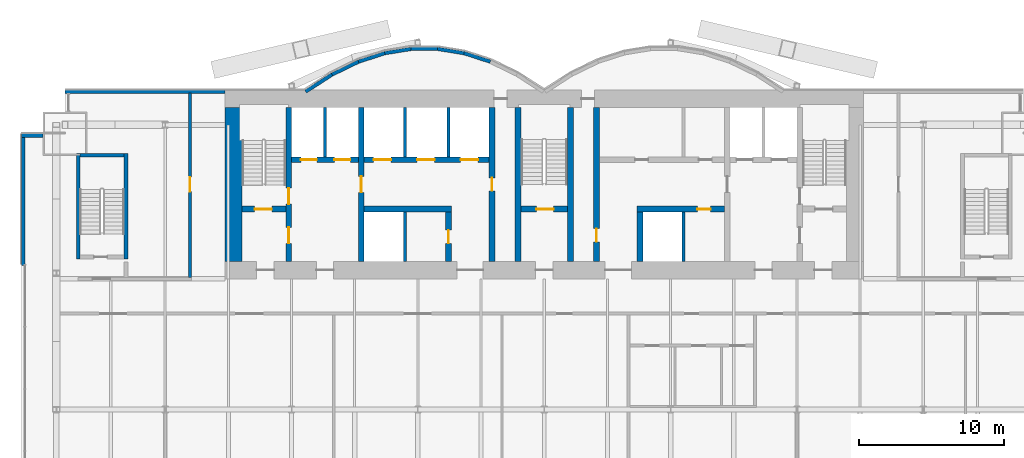
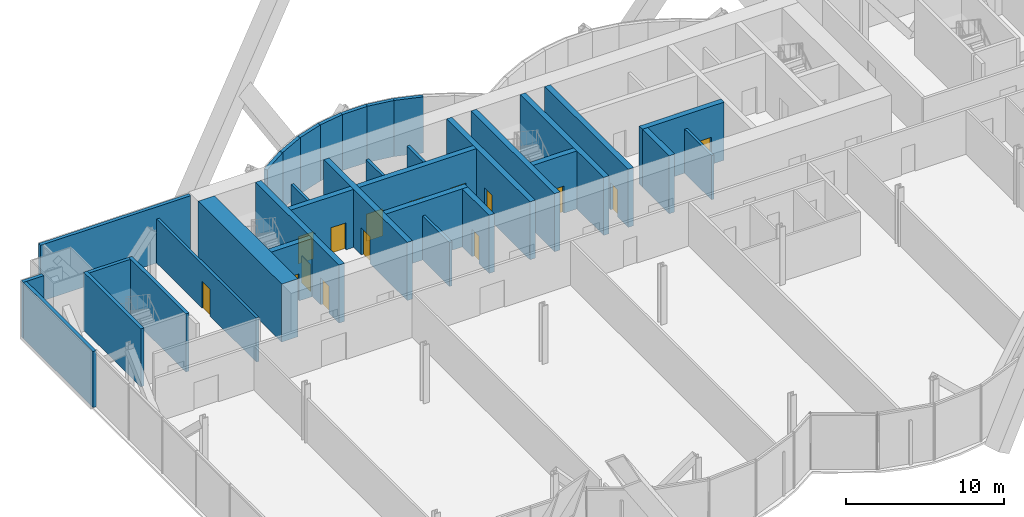
# One storey, part 18 of 23: 33 walls, 15 doors, 15 openings.
"""IFC4 building model written with IfcOpenShell, lengths in metres."""

from ifc_helpers import new_model, si_unit, direction, frame, frame_2d, origin, place, context, subcontext, project, spatial, rectangle, extrude, material, layer, layer_set, layer_usage, type_object, element, fill, save


model = new_model("IFC4")

# Units and contexts
model_context = context("Model", 3, precision=1e-05, world=origin(), true_north=direction((0.0, 1.0)))
body_context = subcontext(model_context, "Body", "Model", "MODEL_VIEW")
ifc_project = project(units=[si_unit("LENGTHUNIT", "METRE"), si_unit("AREAUNIT", "SQUARE_METRE"), si_unit("VOLUMEUNIT", "CUBIC_METRE"), si_unit("PLANEANGLEUNIT", "RADIAN"), si_unit("MASSUNIT", "GRAM", prefix="KILO")], contexts=[model_context])

# Site, building, storey
site_placement = place(None, origin())
site = spatial("IfcSite", under=ifc_project, at=site_placement, CompositionType="ELEMENT")
building_placement = place(site_placement, origin())
building = spatial("IfcBuilding", under=site, at=building_placement, Name="Bicima Exchange Tower", CompositionType="ELEMENT")
storey_placement = place(building_placement, frame((0.0, 0.0, 53.0)))
storey = spatial("IfcBuildingStorey", under=building, at=storey_placement, Name="L10", CompositionType="ELEMENT", Elevation=53.0)

# Walls
ifc_material_1 = material(Name="Gypsum board partition")
ifc_layer_1 = layer(ifc_material_1, 0.199951171875)
ifc_layer_set_1 = layer_set([ifc_layer_1], Name="Gypsum board partition")
wall_type_1 = type_object("IfcWallType", Name="Fire-rated gypsum partition 200 EI120", PredefinedType="PARTITIONING", material=ifc_layer_set_1)
for number, where, z_axis, x_axis, name in (
    (1, (-15.10009765625, -4.60009765625, 0.0), (0.0, 0.0, 1.0), (0.0, 1.0, 0.0), "partition wall 9"),
    (2, (-9.60009765625, -11.800048828125, 0.0), (0.0, 0.0, 1.0), (0.0, 1.0, 0.0), "partition wall 11"),
    (3, (-9.60009765625, -4.60009765625, 0.0), (0.0, 0.0, 1.0), (0.0, 1.0, 0.0), "partition wall 12"),
    (4, (-6.60009765625, -4.60009765625, 0.0), (0.0, 0.0, 1.0), (0.0, 1.0, 0.0), "partition wall 14"),
    (5, (9.60009765625, -11.800048828125, 0.0), (0.0, 0.0, 1.0), (0.0, 1.0, 0.0), "partition wall 20"),
):
    element("IfcWall", number, at=place(storey_placement, frame(where, z_axis=z_axis, x_axis=x_axis)), inside=storey, type_object=wall_type_1, Name=name, PredefinedType="PARTITIONING", context=body_context, shape_type="SweptSolid", body=[
        extrude(rectangle(XDim=3.400146484375, YDim=0.199951171875, at=frame_2d((1.7001953125, 0.0))), origin(), (0.0, 0.0, 1.0), 3.418212890625),
    ])

# Wall, opening, door
ifc_layer_2 = layer(ifc_material_1, 0.199951171875)
ifc_layer_set_2 = layer_set([ifc_layer_2], Name="Gypsum board partition")
wall_type_2 = type_object("IfcWallType", Name="Fire-rated gypsum partition 200 EI60", PredefinedType="PARTITIONING", material=ifc_layer_set_2)
wall_1_placement = place(storey_placement, frame((-24.39990234375, -12.89990234375, 0.0), z_axis=(0.0, 0.0, 1.0), x_axis=(0.0, 1.0, 0.0)))
wall_1 = element("IfcWall", 6, at=wall_1_placement, inside=storey, type_object=wall_type_2, Name="partition wall 15", PredefinedType="PARTITIONING", context=body_context, shape_type="SweptSolid", body=[
    extrude(rectangle(XDim=12.68994140625, YDim=0.199951171875, at=frame_2d((6.344970703125, 0.0))), origin(), (0.0, 0.0, 1.0), 3.418212890625),
])
opening_1_placement = place(wall_1_placement, frame((5.89990234375, 0.0, 0.0)))
opening_1 = element("IfcOpeningElement", 7, at=opening_1_placement, cuts=wall_1, Name="Opening L10-005", PredefinedType="OPENING", context=body_context, shape_type="SweptSolid", body=[
    extrude(rectangle(XDim=1.0, YDim=2.10009765625, at=frame_2d((0.5, 1.050048828125))), frame((0.0, 0.11181640625, 0.0), z_axis=(0.0, -1.0, 0.0), x_axis=(1.0, 0.0, 0.0)), (0.0, 0.0, 1.0), 0.223876953125),
])
ifc_material_2 = material(Name="Steel fire door leaf", Category="steel")
door_type_1 = type_object("IfcDoorType", Name="Door 1000 swing FD30S", OperationType="SINGLE_SWING_LEFT", PredefinedType="DOOR", material=ifc_material_2)
door_1_placement = place(opening_1_placement, origin())
door_1 = element("IfcDoor", 8, at=door_1_placement, inside=storey, type_object=door_type_1, Name="Door", OperationType="SINGLE_SWING_LEFT", OverallHeight=2.10009765625, OverallWidth=1.0, PredefinedType="DOOR", context=body_context, shape_type="SweptSolid", body=[
    extrude(rectangle(XDim=1.0, YDim=2.10009765625, at=frame_2d((0.5, 1.050048828125))), frame((0.0, 0.02490234375, 0.0), z_axis=(0.0, -1.0, 0.0), x_axis=(1.0, 0.0, 0.0)), (0.0, 0.0, 1.0), 0.050048828125),
])
fill(opening_1, door_1)

# Wall
ifc_material_3 = material(Name="Concrete C60/75", Category="concrete")
ifc_layer_3 = layer(ifc_material_3, 1.199951171875)
ifc_layer_set_3 = layer_set([ifc_layer_3], Name="Concrete C60/75")
wall_type_3 = type_object("IfcWallType", Name="RC core wall 1200 C60/75", PredefinedType="SHEAR", material=ifc_layer_set_3)
wall_2_placement = place(storey_placement, frame((-21.39990234375, -11.800048828125, 0.0), z_axis=(0.0, 0.0, 1.0), x_axis=(0.0, 1.0, 0.0)))
element("IfcWall", 9, at=wall_2_placement, inside=storey, type_object=wall_type_3, Name="Core wall west", PredefinedType="SHEAR", context=body_context, shape_type="SweptSolid", body=[
    extrude(rectangle(XDim=10.60009765625, YDim=1.199951171875, at=frame_2d((5.300048828125, 0.0))), origin(), (0.0, 0.0, 1.0), 4.5),
])

# Wall, opening, door
ifc_material_4 = material(Name="Concrete C50/60", Category="concrete")
ifc_layer_4 = layer(ifc_material_4, 0.39990234375)
ifc_layer_set_4 = layer_set([ifc_layer_4], Name="Concrete C50/60")
wall_type_4 = type_object("IfcWallType", Name="RC core wall 400 C50/60", PredefinedType="SHEAR", material=ifc_layer_set_4)
wall_3_placement = place(storey_placement, frame((-20.800048828125, -8.199951171875, 0.0), z_axis=(0.0, 0.0, 1.0), x_axis=(1.0, 0.0, 0.0)))
wall_3 = element("IfcWall", 10, at=wall_3_placement, inside=storey, type_object=wall_type_4, Name="stair wall 1", PredefinedType="SHEAR", context=body_context, shape_type="SweptSolid", body=[
    extrude(rectangle(XDim=3.0, YDim=0.39990234375, at=frame_2d((1.5, 0.0))), origin(), (0.0, 0.0, 1.0), 4.5),
])
opening_2_placement = place(wall_3_placement, frame((0.85009765625, 0.0, 0.0)))
opening_2 = element("IfcOpeningElement", 11, at=opening_2_placement, cuts=wall_3, Name="Opening L10-C01", PredefinedType="OPENING", context=body_context, shape_type="SweptSolid", body=[
    extrude(rectangle(XDim=1.199951171875, YDim=2.10009765625, at=frame_2d((0.60009765625, 1.050048828125))), frame((0.0, 0.2119140625, 0.0), z_axis=(0.0, -1.0, 0.0), x_axis=(1.0, 0.0, 0.0)), (0.0, 0.0, 1.0), 0.423828125),
])
door_type_2 = type_object("IfcDoorType", Name="Door 1200 swing FD60S", OperationType="SINGLE_SWING_LEFT", PredefinedType="DOOR", material=ifc_material_2)
door_2_placement = place(opening_2_placement, origin())
door_2 = element("IfcDoor", 12, at=door_2_placement, inside=storey, type_object=door_type_2, Name="Core door", OperationType="SINGLE_SWING_LEFT", OverallHeight=2.10009765625, OverallWidth=1.199951171875, PredefinedType="DOOR", context=body_context, shape_type="SweptSolid", body=[
    extrude(rectangle(XDim=1.199951171875, YDim=2.10009765625, at=frame_2d((0.60009765625, 1.050048828125))), frame((0.0, 0.02490234375, 0.0), z_axis=(0.0, -1.0, 0.0), x_axis=(1.0, 0.0, 0.0)), (0.0, 0.0, 1.0), 0.050048828125),
])
fill(opening_2, door_2)

wall_4_placement = place(storey_placement, frame((-1.60009765625, -8.199951171875, 0.0), z_axis=(0.0, 0.0, 1.0), x_axis=(1.0, 0.0, 0.0)))
wall_4 = element("IfcWall", 13, at=wall_4_placement, inside=storey, type_object=wall_type_4, Name="stair wall 3", PredefinedType="SHEAR", context=body_context, shape_type="SweptSolid", body=[
    extrude(rectangle(XDim=3.2001953125, YDim=0.39990234375, at=frame_2d((1.60009765625, 0.0))), origin(), (0.0, 0.0, 1.0), 4.5),
])
opening_3_placement = place(wall_4_placement, frame((1.050048828125, 0.0, 0.0)))
opening_3 = element("IfcOpeningElement", 14, at=opening_3_placement, cuts=wall_4, Name="Opening L10-C03", PredefinedType="OPENING", context=body_context, shape_type="SweptSolid", body=[
    extrude(rectangle(XDim=1.199951171875, YDim=2.10009765625, at=frame_2d((0.60009765625, 1.050048828125))), frame((0.0, 0.2119140625, 0.0), z_axis=(0.0, -1.0, 0.0), x_axis=(1.0, 0.0, 0.0)), (0.0, 0.0, 1.0), 0.423828125),
])
door_3_placement = place(opening_3_placement, origin())
door_3 = element("IfcDoor", 15, at=door_3_placement, inside=storey, type_object=door_type_2, Name="Core door", OperationType="SINGLE_SWING_LEFT", OverallHeight=2.10009765625, OverallWidth=1.199951171875, PredefinedType="DOOR", context=body_context, shape_type="SweptSolid", body=[
    extrude(rectangle(XDim=1.199951171875, YDim=2.10009765625, at=frame_2d((0.60009765625, 1.050048828125))), frame((0.0, 0.02490234375, 0.0), z_axis=(0.0, -1.0, 0.0), x_axis=(1.0, 0.0, 0.0)), (0.0, 0.0, 1.0), 0.050048828125),
])
fill(opening_3, door_3)

# Wall, openings, doors
wall_5_placement = place(storey_placement, frame((-17.60009765625, -11.800048828125, 0.0), z_axis=(0.0, 0.0, 1.0), x_axis=(0.0, 1.0, 0.0)))
wall_5 = element("IfcWall", 16, at=wall_5_placement, inside=storey, type_object=wall_type_4, Name="stair wall 8", PredefinedType="SHEAR", context=body_context, shape_type="SweptSolid", body=[
    extrude(rectangle(XDim=10.60009765625, YDim=0.39990234375, at=frame_2d((5.300048828125, 0.0))), origin(), (0.0, 0.0, 1.0), 4.5),
])
opening_4_placement = place(wall_5_placement, frame((1.25, 0.0, 0.0)))
opening_4 = element("IfcOpeningElement", 17, at=opening_4_placement, cuts=wall_5, Name="Opening L10-C02", PredefinedType="OPENING", context=body_context, shape_type="SweptSolid", body=[
    extrude(rectangle(XDim=1.10009765625, YDim=2.10009765625, at=frame_2d((0.550048828125, 1.050048828125))), frame((0.0, 0.2119140625, 0.0), z_axis=(0.0, -1.0, 0.0), x_axis=(1.0, 0.0, 0.0)), (0.0, 0.0, 1.0), 0.423828125),
])
opening_5_placement = place(wall_5_placement, frame((3.949951171875, 0.0, 0.0)))
opening_5 = element("IfcOpeningElement", 18, at=opening_5_placement, cuts=wall_5, Name="Opening L10-C06", PredefinedType="OPENING", context=body_context, shape_type="SweptSolid", body=[
    extrude(rectangle(XDim=1.10009765625, YDim=2.10009765625, at=frame_2d((0.550048828125, 1.050048828125))), frame((0.0, 0.2119140625, 0.0), z_axis=(0.0, -1.0, 0.0), x_axis=(1.0, 0.0, 0.0)), (0.0, 0.0, 1.0), 0.423828125),
])
door_type_3 = type_object("IfcDoorType", Name="Door 1100 swing FD60S", OperationType="SINGLE_SWING_LEFT", PredefinedType="DOOR", material=ifc_material_2)
door_4_placement = place(opening_4_placement, frame((1.10009765625, 0.0, 0.0), z_axis=(0.0, 0.0, 1.0), x_axis=(-1.0, 0.0, 0.0)))
door_4 = element("IfcDoor", 19, at=door_4_placement, inside=storey, type_object=door_type_3, Name="Core door", OperationType="SINGLE_SWING_LEFT", OverallHeight=2.10009765625, OverallWidth=1.10009765625, PredefinedType="DOOR", context=body_context, shape_type="SweptSolid", body=[
    extrude(rectangle(XDim=1.10009765625, YDim=2.10009765625, at=frame_2d((0.550048828125, 1.050048828125))), frame((0.0, 0.02490234375, 0.0), z_axis=(0.0, -1.0, 0.0), x_axis=(1.0, 0.0, 0.0)), (0.0, 0.0, 1.0), 0.050048828125),
])
fill(opening_4, door_4)
door_5_placement = place(opening_5_placement, frame((1.10009765625, 0.0, 0.0), z_axis=(0.0, 0.0, 1.0), x_axis=(-1.0, 0.0, 0.0)))
door_5 = element("IfcDoor", 20, at=door_5_placement, inside=storey, type_object=door_type_3, Name="Core door", OperationType="SINGLE_SWING_LEFT", OverallHeight=2.10009765625, OverallWidth=1.10009765625, PredefinedType="DOOR", context=body_context, shape_type="SweptSolid", body=[
    extrude(rectangle(XDim=1.10009765625, YDim=2.10009765625, at=frame_2d((0.550048828125, 1.050048828125))), frame((0.0, 0.02490234375, 0.0), z_axis=(0.0, -1.0, 0.0), x_axis=(1.0, 0.0, 0.0)), (0.0, 0.0, 1.0), 0.050048828125),
])
fill(opening_5, door_5)

# Walls
for number, where, z_axis, x_axis, name in (
    (21, (-1.800048828125, -11.800048828125, 0.0), (0.0, 0.0, 1.0), (0.0, 1.0, 0.0), "stair wall 16"),
    (22, (1.800048828125, -11.800048828125, 0.0), (0.0, 0.0, 1.0), (0.0, 1.0, 0.0), "stair wall 17"),
):
    element("IfcWall", number, at=place(storey_placement, frame(where, z_axis=z_axis, x_axis=x_axis)), inside=storey, type_object=wall_type_4, Name=name, PredefinedType="SHEAR", context=body_context, shape_type="SweptSolid", body=[
        extrude(rectangle(XDim=10.60009765625, YDim=0.39990234375, at=frame_2d((5.300048828125, 0.0))), origin(), (0.0, 0.0, 1.0), 4.5),
    ])
ifc_layer_5 = layer(ifc_material_3, 0.39990234375)
ifc_layer_set_5 = layer_set([ifc_layer_5], Name="Concrete C60/75")
wall_type_5 = type_object("IfcWallType", Name="RC core wall 400 C60/75", PredefinedType="SHEAR", material=ifc_layer_set_5)
wall_6_placement = place(storey_placement, frame((-12.39990234375, -8.199951171875, 0.0), z_axis=(0.0, 0.0, 1.0), x_axis=(1.0, 0.0, 0.0)))
element("IfcWall", 23, at=wall_6_placement, inside=storey, type_object=wall_type_5, Name="shear wall 2", PredefinedType="SHEAR", context=body_context, shape_type="SweptSolid", body=[
    extrude(rectangle(XDim=6.0, YDim=0.39990234375, at=frame_2d((3.0, 0.0))), origin(), (0.0, 0.0, 1.0), 4.5),
])

# Wall, opening, door
wall_7_placement = place(storey_placement, frame((6.39990234375, -8.199951171875, 0.0), z_axis=(0.0, 0.0, 1.0), x_axis=(1.0, 0.0, 0.0)))
wall_7 = element("IfcWall", 24, at=wall_7_placement, inside=storey, type_object=wall_type_5, Name="shear wall 4", PredefinedType="SHEAR", context=body_context, shape_type="SweptSolid", body=[
    extrude(rectangle(XDim=6.0, YDim=0.39990234375, at=frame_2d((3.0, 0.0))), origin(), (0.0, 0.0, 1.0), 4.5),
])
opening_6_placement = place(wall_7_placement, frame((4.14990234375, 0.0, 0.0)))
opening_6 = element("IfcOpeningElement", 25, at=opening_6_placement, cuts=wall_7, Name="Opening L10-C15", PredefinedType="OPENING", context=body_context, shape_type="SweptSolid", body=[
    extrude(rectangle(XDim=0.89990234375, YDim=2.10009765625, at=frame_2d((0.449951171875, 1.050048828125))), frame((0.0, 0.2119140625, 0.0), z_axis=(0.0, -1.0, 0.0), x_axis=(1.0, 0.0, 0.0)), (0.0, 0.0, 1.0), 0.423828125),
])
door_type_4 = type_object("IfcDoorType", Name="Door 900 swing FD30S", OperationType="SINGLE_SWING_LEFT", PredefinedType="DOOR", material=ifc_material_2)
door_6_placement = place(opening_6_placement, frame((0.89990234375, 0.0, 0.0), z_axis=(0.0, 0.0, 1.0), x_axis=(-1.0, 0.0, 0.0)))
door_6 = element("IfcDoor", 26, at=door_6_placement, inside=storey, type_object=door_type_4, Name="Core door", OperationType="SINGLE_SWING_RIGHT", OverallHeight=2.10009765625, OverallWidth=0.89990234375, PredefinedType="DOOR", context=body_context, shape_type="SweptSolid", body=[
    extrude(rectangle(XDim=0.89990234375, YDim=2.10009765625, at=frame_2d((0.449951171875, 1.050048828125))), frame((0.0, 0.02490234375, 0.0), z_axis=(0.0, -1.0, 0.0), x_axis=(1.0, 0.0, 0.0)), (0.0, 0.0, 1.0), 0.050048828125),
])
fill(opening_6, door_6)

# Wall, openings, doors
wall_8_placement = place(storey_placement, frame((-17.39990234375, -4.800048828125, 0.0), z_axis=(0.0, 0.0, 1.0), x_axis=(1.0, 0.0, 0.0)))
wall_8 = element("IfcWall", 27, at=wall_8_placement, inside=storey, type_object=wall_type_5, Name="shear wall 6", PredefinedType="SHEAR", context=body_context, shape_type="SweptSolid", body=[
    extrude(rectangle(XDim=13.599853515625, YDim=0.39990234375, at=frame_2d((6.7998046875, 0.0))), origin(), (0.0, 0.0, 1.0), 4.5),
])
opening_7_placement = place(wall_8_placement, frame((0.64990234375, 0.0, 0.0)))
opening_7 = element("IfcOpeningElement", 28, at=opening_7_placement, cuts=wall_8, Name="Opening LD-FF1-L10", PredefinedType="OPENING", context=body_context, shape_type="SweptSolid", body=[
    extrude(rectangle(XDim=1.10009765625, YDim=2.10009765625, at=frame_2d((0.550048828125, 1.050048828125))), frame((0.0, 0.2119140625, 0.0), z_axis=(0.0, -1.0, 0.0), x_axis=(1.0, 0.0, 0.0)), (0.0, 0.0, 1.0), 0.423828125),
])
opening_8_placement = place(wall_8_placement, frame((2.949951171875, 0.0, 0.0)))
opening_8 = element("IfcOpeningElement", 29, at=opening_8_placement, cuts=wall_8, Name="Opening LD-FF3-L10", PredefinedType="OPENING", context=body_context, shape_type="SweptSolid", body=[
    extrude(rectangle(XDim=1.10009765625, YDim=2.10009765625, at=frame_2d((0.550048828125, 1.050048828125))), frame((0.0, 0.2119140625, 0.0), z_axis=(0.0, -1.0, 0.0), x_axis=(1.0, 0.0, 0.0)), (0.0, 0.0, 1.0), 0.423828125),
])
opening_9_placement = place(wall_8_placement, frame((5.64990234375, 0.0, 0.0)))
opening_9 = element("IfcOpeningElement", 30, at=opening_9_placement, cuts=wall_8, Name="Opening LD-LB1-L10", PredefinedType="OPENING", context=body_context, shape_type="SweptSolid", body=[
    extrude(rectangle(XDim=1.199951171875, YDim=2.10009765625, at=frame_2d((0.60009765625, 1.050048828125))), frame((0.0, 0.2119140625, 0.0), z_axis=(0.0, -1.0, 0.0), x_axis=(1.0, 0.0, 0.0)), (0.0, 0.0, 1.0), 0.423828125),
])
opening_10_placement = place(wall_8_placement, frame((8.64990234375, 0.0, 0.0)))
opening_10 = element("IfcOpeningElement", 31, at=opening_10_placement, cuts=wall_8, Name="Opening LD-LB2-L10", PredefinedType="OPENING", context=body_context, shape_type="SweptSolid", body=[
    extrude(rectangle(XDim=1.199951171875, YDim=2.10009765625, at=frame_2d((0.60009765625, 1.050048828125))), frame((0.0, 0.2119140625, 0.0), z_axis=(0.0, -1.0, 0.0), x_axis=(1.0, 0.0, 0.0)), (0.0, 0.0, 1.0), 0.423828125),
])
opening_11_placement = place(wall_8_placement, frame((11.64990234375, 0.0, 0.0)))
opening_11 = element("IfcOpeningElement", 32, at=opening_11_placement, cuts=wall_8, Name="Opening LD-LB3-L10", PredefinedType="OPENING", context=body_context, shape_type="SweptSolid", body=[
    extrude(rectangle(XDim=1.199951171875, YDim=2.10009765625, at=frame_2d((0.60009765625, 1.050048828125))), frame((0.0, 0.2119140625, 0.0), z_axis=(0.0, -1.0, 0.0), x_axis=(1.0, 0.0, 0.0)), (0.0, 0.0, 1.0), 0.423828125),
])
ifc_material_5 = material(Name="Stainless steel", Category="steel")
door_type_5 = type_object("IfcDoorType", Name="Lift landing door 1100 sliding", OperationType="DOUBLE_DOOR_SLIDING", PredefinedType="DOOR", material=ifc_material_5)
door_7_placement = place(opening_7_placement, origin())
door_7 = element("IfcDoor", 33, at=door_7_placement, inside=storey, type_object=door_type_5, Name="Lift landing door FF1", OperationType="DOUBLE_DOOR_SLIDING", OverallHeight=2.10009765625, OverallWidth=1.10009765625, PredefinedType="DOOR", context=body_context, shape_type="SweptSolid", body=[
    extrude(rectangle(XDim=1.10009765625, YDim=2.10009765625, at=frame_2d((0.550048828125, 1.050048828125))), frame((0.0, 0.02490234375, 0.0), z_axis=(0.0, -1.0, 0.0), x_axis=(1.0, 0.0, 0.0)), (0.0, 0.0, 1.0), 0.050048828125),
])
fill(opening_7, door_7)
door_8_placement = place(opening_8_placement, origin())
door_8 = element("IfcDoor", 34, at=door_8_placement, inside=storey, type_object=door_type_5, Name="Lift landing door FF3", OperationType="DOUBLE_DOOR_SLIDING", OverallHeight=2.10009765625, OverallWidth=1.10009765625, PredefinedType="DOOR", context=body_context, shape_type="SweptSolid", body=[
    extrude(rectangle(XDim=1.10009765625, YDim=2.10009765625, at=frame_2d((0.550048828125, 1.050048828125))), frame((0.0, 0.02490234375, 0.0), z_axis=(0.0, -1.0, 0.0), x_axis=(1.0, 0.0, 0.0)), (0.0, 0.0, 1.0), 0.050048828125),
])
fill(opening_8, door_8)
door_type_6 = type_object("IfcDoorType", Name="Lift landing door 1200 sliding", OperationType="DOUBLE_DOOR_SLIDING", PredefinedType="DOOR", material=ifc_material_5)
door_9_placement = place(opening_9_placement, origin())
door_9 = element("IfcDoor", 35, at=door_9_placement, inside=storey, type_object=door_type_6, Name="Lift landing door LB1", OperationType="DOUBLE_DOOR_SLIDING", OverallHeight=2.10009765625, OverallWidth=1.199951171875, PredefinedType="DOOR", context=body_context, shape_type="SweptSolid", body=[
    extrude(rectangle(XDim=1.199951171875, YDim=2.10009765625, at=frame_2d((0.60009765625, 1.050048828125))), frame((0.0, 0.02490234375, 0.0), z_axis=(0.0, -1.0, 0.0), x_axis=(1.0, 0.0, 0.0)), (0.0, 0.0, 1.0), 0.050048828125),
])
fill(opening_9, door_9)
door_10_placement = place(opening_10_placement, origin())
door_10 = element("IfcDoor", 36, at=door_10_placement, inside=storey, type_object=door_type_6, Name="Lift landing door LB2", OperationType="DOUBLE_DOOR_SLIDING", OverallHeight=2.10009765625, OverallWidth=1.199951171875, PredefinedType="DOOR", context=body_context, shape_type="SweptSolid", body=[
    extrude(rectangle(XDim=1.199951171875, YDim=2.10009765625, at=frame_2d((0.60009765625, 1.050048828125))), frame((0.0, 0.02490234375, 0.0), z_axis=(0.0, -1.0, 0.0), x_axis=(1.0, 0.0, 0.0)), (0.0, 0.0, 1.0), 0.050048828125),
])
fill(opening_10, door_10)
door_11_placement = place(opening_11_placement, origin())
door_11 = element("IfcDoor", 37, at=door_11_placement, inside=storey, type_object=door_type_6, Name="Lift landing door LB3", OperationType="DOUBLE_DOOR_SLIDING", OverallHeight=2.10009765625, OverallWidth=1.199951171875, PredefinedType="DOOR", context=body_context, shape_type="SweptSolid", body=[
    extrude(rectangle(XDim=1.199951171875, YDim=2.10009765625, at=frame_2d((0.60009765625, 1.050048828125))), frame((0.0, 0.02490234375, 0.0), z_axis=(0.0, -1.0, 0.0), x_axis=(1.0, 0.0, 0.0)), (0.0, 0.0, 1.0), 0.050048828125),
])
fill(opening_11, door_11)

# Wall, opening, door
wall_9_placement = place(storey_placement, frame((-12.60009765625, -11.800048828125, 0.0), z_axis=(0.0, 0.0, 1.0), x_axis=(0.0, 1.0, 0.0)))
wall_9 = element("IfcWall", 38, at=wall_9_placement, inside=storey, type_object=wall_type_5, Name="shear wall 10", PredefinedType="SHEAR", context=body_context, shape_type="SweptSolid", body=[
    extrude(rectangle(XDim=10.60009765625, YDim=0.39990234375, at=frame_2d((5.300048828125, 0.0))), origin(), (0.0, 0.0, 1.0), 4.5),
])
opening_12_placement = place(wall_9_placement, frame((4.75, 0.0, 0.0)))
opening_12 = element("IfcOpeningElement", 39, at=opening_12_placement, cuts=wall_9, Name="Opening L10-C07", PredefinedType="OPENING", context=body_context, shape_type="SweptSolid", body=[
    extrude(rectangle(XDim=1.10009765625, YDim=2.10009765625, at=frame_2d((0.550048828125, 1.050048828125))), frame((0.0, 0.2119140625, 0.0), z_axis=(0.0, -1.0, 0.0), x_axis=(1.0, 0.0, 0.0)), (0.0, 0.0, 1.0), 0.423828125),
])
door_12_placement = place(opening_12_placement, origin())
door_12 = element("IfcDoor", 40, at=door_12_placement, inside=storey, type_object=door_type_3, Name="Core door", OperationType="SINGLE_SWING_LEFT", OverallHeight=2.10009765625, OverallWidth=1.10009765625, PredefinedType="DOOR", context=body_context, shape_type="SweptSolid", body=[
    extrude(rectangle(XDim=1.10009765625, YDim=2.10009765625, at=frame_2d((0.550048828125, 1.050048828125))), frame((0.0, 0.02490234375, 0.0), z_axis=(0.0, -1.0, 0.0), x_axis=(1.0, 0.0, 0.0)), (0.0, 0.0, 1.0), 0.050048828125),
])
fill(opening_12, door_12)

wall_10_placement = place(storey_placement, frame((-6.60009765625, -11.800048828125, 0.0), z_axis=(0.0, 0.0, 1.0), x_axis=(0.0, 1.0, 0.0)))
wall_10 = element("IfcWall", 41, at=wall_10_placement, inside=storey, type_object=wall_type_5, Name="shear wall 13", PredefinedType="SHEAR", context=body_context, shape_type="SweptSolid", body=[
    extrude(rectangle(XDim=3.400146484375, YDim=0.39990234375, at=frame_2d((1.7001953125, 0.0))), origin(), (0.0, 0.0, 1.0), 4.5),
])
opening_13_placement = place(wall_10_placement, frame((1.25, 0.0, 0.0)))
opening_13 = element("IfcOpeningElement", 42, at=opening_13_placement, cuts=wall_10, Name="Opening L10-C14", PredefinedType="OPENING", context=body_context, shape_type="SweptSolid", body=[
    extrude(rectangle(XDim=0.89990234375, YDim=2.10009765625, at=frame_2d((0.449951171875, 1.050048828125))), frame((0.0, 0.2119140625, 0.0), z_axis=(0.0, -1.0, 0.0), x_axis=(1.0, 0.0, 0.0)), (0.0, 0.0, 1.0), 0.423828125),
])
door_13_placement = place(opening_13_placement, origin())
door_13 = element("IfcDoor", 43, at=door_13_placement, inside=storey, type_object=door_type_4, Name="Core door", OperationType="SINGLE_SWING_RIGHT", OverallHeight=2.10009765625, OverallWidth=0.89990234375, PredefinedType="DOOR", context=body_context, shape_type="SweptSolid", body=[
    extrude(rectangle(XDim=0.89990234375, YDim=2.10009765625, at=frame_2d((0.449951171875, 1.050048828125))), frame((0.0, 0.02490234375, 0.0), z_axis=(0.0, -1.0, 0.0), x_axis=(1.0, 0.0, 0.0)), (0.0, 0.0, 1.0), 0.050048828125),
])
fill(opening_13, door_13)

wall_11_placement = place(storey_placement, frame((-3.60009765625, -11.800048828125, 0.0), z_axis=(0.0, 0.0, 1.0), x_axis=(0.0, 1.0, 0.0)))
wall_11 = element("IfcWall", 44, at=wall_11_placement, inside=storey, type_object=wall_type_5, Name="shear wall 15", PredefinedType="SHEAR", context=body_context, shape_type="SweptSolid", body=[
    extrude(rectangle(XDim=10.60009765625, YDim=0.39990234375, at=frame_2d((5.300048828125, 0.0))), origin(), (0.0, 0.0, 1.0), 4.5),
])
opening_14_placement = place(wall_11_placement, frame((4.85009765625, 0.0, 0.0)))
opening_14 = element("IfcOpeningElement", 45, at=opening_14_placement, cuts=wall_11, Name="Opening L10-C10", PredefinedType="OPENING", context=body_context, shape_type="SweptSolid", body=[
    extrude(rectangle(XDim=0.89990234375, YDim=2.10009765625, at=frame_2d((0.449951171875, 1.050048828125))), frame((0.0, 0.2119140625, 0.0), z_axis=(0.0, -1.0, 0.0), x_axis=(1.0, 0.0, 0.0)), (0.0, 0.0, 1.0), 0.423828125),
])
door_14_placement = place(opening_14_placement, frame((0.89990234375, 0.0, 0.0), z_axis=(0.0, 0.0, 1.0), x_axis=(-1.0, 0.0, 0.0)))
door_14 = element("IfcDoor", 46, at=door_14_placement, inside=storey, type_object=door_type_4, Name="Core door", OperationType="SINGLE_SWING_LEFT", OverallHeight=2.10009765625, OverallWidth=0.89990234375, PredefinedType="DOOR", context=body_context, shape_type="SweptSolid", body=[
    extrude(rectangle(XDim=0.89990234375, YDim=2.10009765625, at=frame_2d((0.449951171875, 1.050048828125))), frame((0.0, 0.02490234375, 0.0), z_axis=(0.0, -1.0, 0.0), x_axis=(1.0, 0.0, 0.0)), (0.0, 0.0, 1.0), 0.050048828125),
])
fill(opening_14, door_14)

wall_12_placement = place(storey_placement, frame((3.60009765625, -11.800048828125, 0.0), z_axis=(0.0, 0.0, 1.0), x_axis=(0.0, 1.0, 0.0)))
wall_12 = element("IfcWall", 47, at=wall_12_placement, inside=storey, type_object=wall_type_5, Name="shear wall 18", PredefinedType="SHEAR", context=body_context, shape_type="SweptSolid", body=[
    extrude(rectangle(XDim=10.60009765625, YDim=0.39990234375, at=frame_2d((5.300048828125, 0.0))), origin(), (0.0, 0.0, 1.0), 4.5),
])
opening_15_placement = place(wall_12_placement, frame((1.35009765625, 0.0, 0.0)))
opening_15 = element("IfcOpeningElement", 48, at=opening_15_placement, cuts=wall_12, Name="Opening L10-C11", PredefinedType="OPENING", context=body_context, shape_type="SweptSolid", body=[
    extrude(rectangle(XDim=0.89990234375, YDim=2.10009765625, at=frame_2d((0.449951171875, 1.050048828125))), frame((0.0, 0.2119140625, 0.0), z_axis=(0.0, -1.0, 0.0), x_axis=(1.0, 0.0, 0.0)), (0.0, 0.0, 1.0), 0.423828125),
])
door_15_placement = place(opening_15_placement, origin())
door_15 = element("IfcDoor", 49, at=door_15_placement, inside=storey, type_object=door_type_4, Name="Core door", OperationType="SINGLE_SWING_LEFT", OverallHeight=2.10009765625, OverallWidth=0.89990234375, PredefinedType="DOOR", context=body_context, shape_type="SweptSolid", body=[
    extrude(rectangle(XDim=0.89990234375, YDim=2.10009765625, at=frame_2d((0.449951171875, 1.050048828125))), frame((0.0, 0.02490234375, 0.0), z_axis=(0.0, -1.0, 0.0), x_axis=(1.0, 0.0, 0.0)), (0.0, 0.0, 1.0), 0.050048828125),
])
fill(opening_15, door_15)

# Walls
wall_13_placement = place(storey_placement, frame((6.60009765625, -11.800048828125, 0.0), z_axis=(0.0, 0.0, 1.0), x_axis=(0.0, 1.0, 0.0)))
element("IfcWall", 50, at=wall_13_placement, inside=storey, type_object=wall_type_5, Name="shear wall 19", PredefinedType="SHEAR", context=body_context, shape_type="SweptSolid", body=[
    extrude(rectangle(XDim=3.400146484375, YDim=0.39990234375, at=frame_2d((1.7001953125, 0.0))), origin(), (0.0, 0.0, 1.0), 4.5),
])
ifc_layer_6 = layer(ifc_material_4, 0.25)
ifc_layer_set_6 = layer_set([ifc_layer_6], Name="Concrete C50/60")
wall_type_6 = type_object("IfcWallType", Name="RC stair enclosure wall 250 C50/60", PredefinedType="SHEAR", material=ifc_layer_set_6)
for number, where, z_axis, x_axis, name in (
    (51, (-32.10009765625, -11.625, 0.0), (0.0, 0.0, 1.0), (0.0, 1.0, 0.0), "West end exit stair wall W"),
    (52, (-28.800048828125, -11.625, 0.0), (0.0, 0.0, 1.0), (0.0, 1.0, 0.0), "West end exit stair wall E"),
):
    element("IfcWall", number, at=place(storey_placement, frame(where, z_axis=z_axis, x_axis=x_axis)), inside=storey, type_object=wall_type_6, Name=name, PredefinedType="SHEAR", context=body_context, shape_type="SweptSolid", body=[
        extrude(rectangle(XDim=7.25, YDim=0.25, at=frame_2d((3.625, 0.0))), origin(), (0.0, 0.0, 1.0), 4.5),
    ])
wall_14_placement = place(storey_placement, frame((-31.97509765625, -4.5, 0.0), z_axis=(0.0, 0.0, 1.0), x_axis=(1.0, 0.0, 0.0)))
element("IfcWall", 53, at=wall_14_placement, inside=storey, type_object=wall_type_6, Name="West end exit stair wall N", PredefinedType="SHEAR", context=body_context, shape_type="SweptSolid", body=[
    extrude(rectangle(XDim=3.050048828125, YDim=0.25, at=frame_2d((1.52490234375, 0.0))), origin(), (0.0, 0.0, 1.0), 4.5),
])
ifc_material_6 = material(Name="Concrete C40/50", Category="concrete")
ifc_layer_7 = layer(ifc_material_6, 0.25)
ifc_layer_set_7 = layer_set([ifc_layer_7], Name="Concrete C40/50")
ifc_layer_usage = layer_usage(ifc_layer_set_7, "AXIS2", "POSITIVE", -0.125)
wall_type_7 = type_object("IfcWallType", Name="Rear backup wall 250", PredefinedType="STANDARD", material=ifc_layer_set_7)
wall_15_placement = place(storey_placement, frame((-3.705078125, 1.955078125, 0.0), z_axis=(0.0, 0.0, 1.0), x_axis=(-0.951495806175, 0.307661714928, 0.0)))
element("IfcWall", 54, at=wall_15_placement, inside=storey, type_object=wall_type_7, material=ifc_layer_usage, Name="Rear backup wall L10 13", PredefinedType="STANDARD", context=body_context, shape_type="SweptSolid", body=[
    extrude(rectangle(XDim=1.9267578125, YDim=0.25, at=frame_2d((0.96337890625, 0.0))), origin(), (0.0, 0.0, 1.0), 4.35009765625),
])
wall_16_placement = place(storey_placement, frame((-5.52001953125, 2.543212890625, 0.0), z_axis=(0.0, 0.0, 1.0), x_axis=(-0.987181718931, 0.159600293885, 0.0)))
element("IfcWall", 55, at=wall_16_placement, inside=storey, type_object=wall_type_7, material=ifc_layer_usage, Name="Rear backup wall L10 14", PredefinedType="STANDARD", context=body_context, shape_type="SweptSolid", body=[
    extrude(rectangle(XDim=1.857177734375, YDim=0.25, at=frame_2d((0.9287109375, 0.0))), origin(), (0.0, 0.0, 1.0), 4.35009765625),
])
wall_17_placement = place(storey_placement, frame((-7.333251953125, 2.837890625, 0.0), z_axis=(0.0, 0.0, 1.0), x_axis=(-1.0, 0.0, 0.0)))
element("IfcWall", 56, at=wall_17_placement, inside=storey, type_object=wall_type_7, material=ifc_layer_usage, Name="Rear backup wall L10 15", PredefinedType="STANDARD", context=body_context, shape_type="SweptSolid", body=[
    extrude(rectangle(XDim=1.83349609375, YDim=0.25, at=frame_2d((0.916748046875, 0.0))), origin(), (0.0, 0.0, 1.0), 4.35009765625),
])
wall_18_placement = place(storey_placement, frame((-9.146728515625, 2.839599609375, 0.0), z_axis=(0.0, 0.0, 1.0), x_axis=(-0.987181718931, -0.159600293885, 0.0)))
element("IfcWall", 57, at=wall_18_placement, inside=storey, type_object=wall_type_7, material=ifc_layer_usage, Name="Rear backup wall L10 16", PredefinedType="STANDARD", context=body_context, shape_type="SweptSolid", body=[
    extrude(rectangle(XDim=1.857177734375, YDim=0.25, at=frame_2d((0.9287109375, 0.0))), origin(), (0.0, 0.0, 1.0), 4.35009765625),
])
wall_19_placement = place(storey_placement, frame((-10.961669921875, 2.5478515625, 0.0), z_axis=(0.0, 0.0, 1.0), x_axis=(-0.951495806175, -0.307661714928, 0.0)))
element("IfcWall", 58, at=wall_19_placement, inside=storey, type_object=wall_type_7, material=ifc_layer_usage, Name="Rear backup wall L10 17", PredefinedType="STANDARD", context=body_context, shape_type="SweptSolid", body=[
    extrude(rectangle(XDim=1.9267578125, YDim=0.25, at=frame_2d((0.96337890625, 0.0))), origin(), (0.0, 0.0, 1.0), 4.35009765625),
])
wall_20_placement = place(storey_placement, frame((-12.77880859375, 1.961669921875, 0.0), z_axis=(0.0, 0.0, 1.0), x_axis=(-0.89982408427, -0.436252928206, 0.0)))
element("IfcWall", 59, at=wall_20_placement, inside=storey, type_object=wall_type_7, material=ifc_layer_usage, Name="Rear backup wall L10 18", PredefinedType="STANDARD", context=body_context, shape_type="SweptSolid", body=[
    extrude(rectangle(XDim=2.03759765625, YDim=0.25, at=frame_2d((1.018798828125, 0.0))), origin(), (0.0, 0.0, 1.0), 4.35009765625),
])
wall_21_placement = place(storey_placement, frame((-14.598876953125, 1.080078125, 0.0), z_axis=(0.0, 0.0, 1.0), x_axis=(-0.83981312244, -0.542875602121, 0.0)))
element("IfcWall", 60, at=wall_21_placement, inside=storey, type_object=wall_type_7, material=ifc_layer_usage, Name="Rear backup wall L10 19", PredefinedType="STANDARD", context=body_context, shape_type="SweptSolid", body=[
    extrude(rectangle(XDim=2.182861328125, YDim=0.25, at=frame_2d((1.09130859375, 0.0))), origin(), (0.0, 0.0, 1.0), 4.35009765625),
])
wall_22_placement = place(storey_placement, frame((-22.0, -0.125, 0.0), z_axis=(0.0, 0.0, 1.0), x_axis=(-1.0, 0.0, 0.0)))
element("IfcWall", 61, at=wall_22_placement, inside=storey, type_object=wall_type_7, material=ifc_layer_usage, Name="Rear backup wall L10 20", PredefinedType="STANDARD", context=body_context, shape_type="SweptSolid", body=[
    extrude(rectangle(XDim=11.0, YDim=0.25, at=frame_2d((5.5, 0.0))), origin(), (0.0, 0.0, 1.0), 4.35009765625),
])
wall_23_placement = place(storey_placement, frame((-34.5, -3.125, 0.0), z_axis=(0.0, 0.0, 1.0), x_axis=(-1.0, 0.0, 0.0)))
element("IfcWall", 62, at=wall_23_placement, inside=storey, type_object=wall_type_7, material=ifc_layer_usage, Name="Rear backup wall L10 22", PredefinedType="STANDARD", context=body_context, shape_type="SweptSolid", body=[
    extrude(rectangle(XDim=1.5, YDim=0.25, at=frame_2d((0.75, 0.0))), origin(), (0.0, 0.0, 1.0), 4.35009765625),
])
wall_24_placement = place(storey_placement, frame((-35.875, -3.0, 0.0), z_axis=(0.0, 0.0, 1.0), x_axis=(0.0, -1.0, 0.0)))
element("IfcWall", 63, at=wall_24_placement, inside=storey, type_object=wall_type_7, material=ifc_layer_usage, Name="Rear backup wall L10 23", PredefinedType="STANDARD", context=body_context, shape_type="SweptSolid", body=[
    extrude(rectangle(XDim=9.090087890625, YDim=0.25, at=frame_2d((4.544921875, 0.0))), origin(), (0.0, 0.0, 1.0), 4.35009765625),
])

save(model, "model.ifc")
